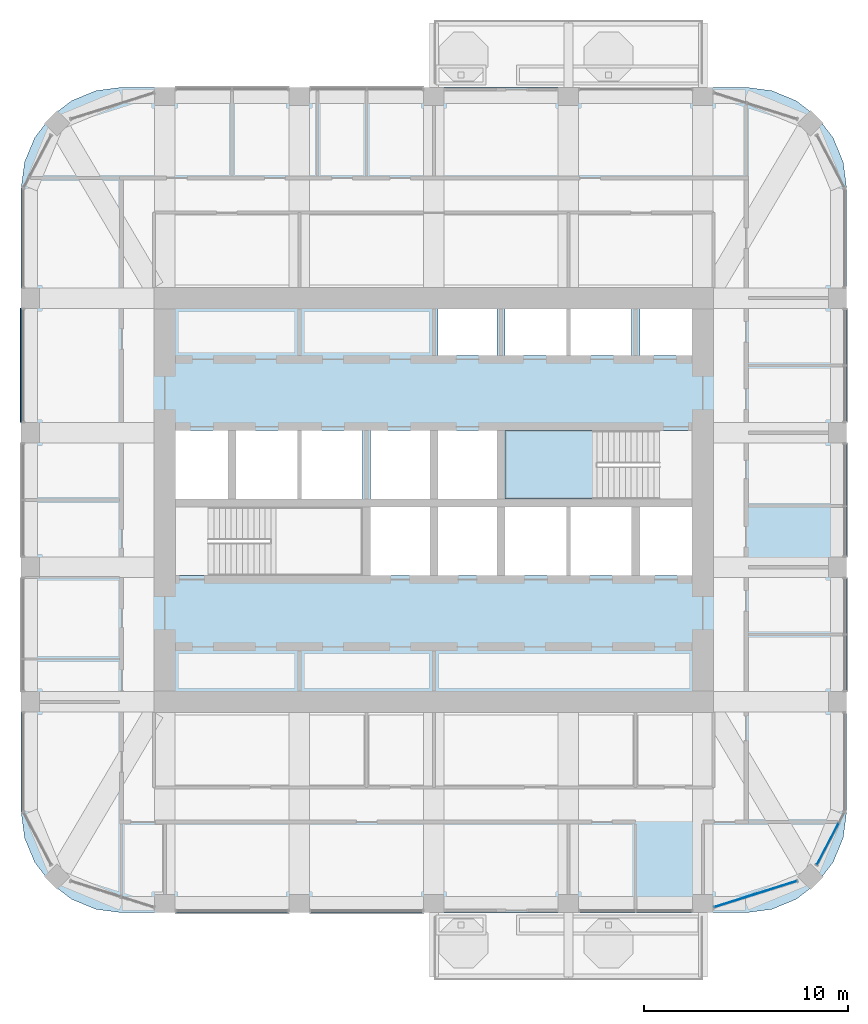
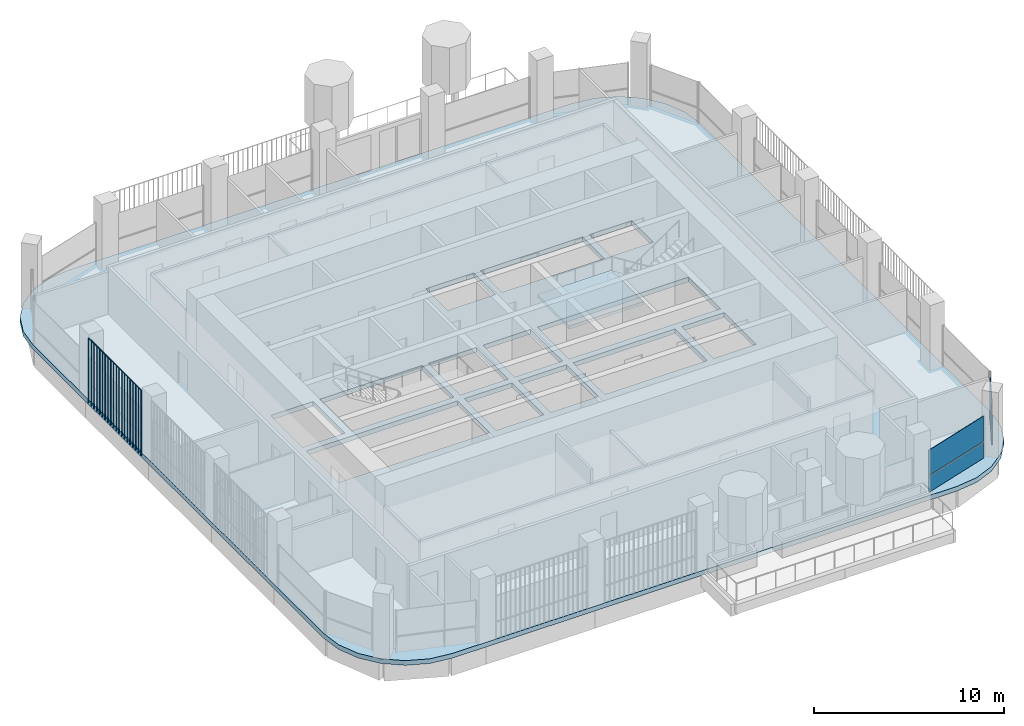
# One storey, part 10 of 21: 5 plates, 2 slabs, 3 elements without a shape of their own.
"""IFC4 building model written with IfcOpenShell, lengths in metres."""

from ifc_helpers import new_model, si_unit, direction, frame, origin, origin_2d, place, context, subcontext, project, spatial, polyline, rectangle, outline, extrude, material, layer, layer_set, type_object, element, aggregate, save


model = new_model("IFC4")

# Units and contexts
model_context = context("Model", 3, precision=1e-05, world=origin(), true_north=direction((0.0, 1.0)))
body_context = subcontext(model_context, "Body", "Model", "MODEL_VIEW")
ifc_project = project(units=[si_unit("LENGTHUNIT", "METRE"), si_unit("AREAUNIT", "SQUARE_METRE"), si_unit("VOLUMEUNIT", "CUBIC_METRE"), si_unit("PLANEANGLEUNIT", "RADIAN"), si_unit("MASSUNIT", "GRAM", prefix="KILO")], contexts=[model_context])

# Site, building, storey
site_placement = place(None, origin())
site = spatial("IfcSite", under=ifc_project, at=site_placement, CompositionType="ELEMENT")
building_placement = place(site_placement, origin())
building = spatial("IfcBuilding", under=site, at=building_placement, Name="Cobogo Forest Laboratory Tower", CompositionType="ELEMENT")
storey_placement = place(building_placement, frame((0.0, 0.0, 275.39990234375)))
storey = spatial("IfcBuildingStorey", under=building, at=storey_placement, Name="L63", CompositionType="ELEMENT", Elevation=275.39990234375)

# Slab
ifc_material_1 = material(Name="Concrete HA-40 (C40/50)", Category="concrete")
ifc_layer_1 = layer(ifc_material_1, 0.300048828125)
ifc_layer_set_1 = layer_set([ifc_layer_1], Name="Floor slab 300")
slab_type_1 = type_object("IfcSlabType", Name="Floor slab 300", PredefinedType="FLOOR", material=ifc_layer_set_1)
slab_1_placement = place(storey_placement, frame((0.0, 0.0, -0.2998046875)))
element("IfcSlab", 1, at=slab_1_placement, inside=storey, type_object=slab_type_1, Name="L63 floor slab", PredefinedType="FLOOR", context=body_context, shape_type="SweptSolid", body=[
    extrude(outline(polyline([(41.699951171875, 2.85009765625), (42.981201171875, 3.0185546875), (44.175048828125, 3.51318359375), (45.2001953125, 4.2998046875), (45.98681640625, 5.324951171875), (46.4814453125, 6.518798828125), (46.64990234375, 7.800048828125), (46.64990234375, 38.39990234375), (46.4814453125, 39.68115234375), (45.98681640625, 40.875), (45.2001953125, 41.900146484375), (44.175048828125, 42.686767578125), (42.981201171875, 43.181396484375), (41.699951171875, 43.35009765625), (11.10009765625, 43.35009765625), (9.81884765625, 43.181396484375), (8.625, 42.686767578125), (7.599853515625, 41.900146484375), (6.813232421875, 40.875), (6.318603515625, 39.68115234375), (6.14990234375, 38.39990234375), (6.14990234375, 7.800048828125), (6.318603515625, 6.518798828125), (6.813232421875, 5.324951171875), (7.599853515625, 4.2998046875), (8.625, 3.51318359375), (9.81884765625, 3.0185546875), (11.10009765625, 2.85009765625), (41.699951171875, 2.85009765625)]), holes=[polyline([(22.89990234375, 19.39990234375), (13.72509765625, 19.39990234375), (13.72509765625, 22.75), (22.89990234375, 22.75), (22.89990234375, 19.39990234375)]), polyline([(26.199951171875, 19.39990234375), (23.300048828125, 19.39990234375), (23.300048828125, 22.75), (26.199951171875, 22.75), (26.199951171875, 19.39990234375)]), polyline([(29.5, 19.39990234375), (26.60009765625, 19.39990234375), (26.60009765625, 22.75), (29.5, 22.75), (29.5, 19.39990234375)]), polyline([(36.10009765625, 22.75), (36.10009765625, 19.39990234375), (29.89990234375, 19.39990234375), (29.89990234375, 22.75), (36.10009765625, 22.75)]), polyline([(39.074951171875, 19.39990234375), (36.5, 19.39990234375), (36.5, 22.75), (39.074951171875, 22.75), (39.074951171875, 19.39990234375)]), polyline([(16.300048828125, 23.14990234375), (13.72509765625, 23.14990234375), (13.72509765625, 26.5), (16.300048828125, 26.5), (16.300048828125, 23.14990234375)]), polyline([(22.89990234375, 26.5), (22.89990234375, 23.14990234375), (16.699951171875, 23.14990234375), (16.699951171875, 26.5), (22.89990234375, 26.5)]), polyline([(26.199951171875, 23.14990234375), (23.300048828125, 23.14990234375), (23.300048828125, 26.5), (26.199951171875, 26.5), (26.199951171875, 23.14990234375)]), polyline([(29.5, 23.14990234375), (26.60009765625, 23.14990234375), (26.60009765625, 26.5), (29.5, 26.5), (29.5, 23.14990234375)]), polyline([(39.074951171875, 23.14990234375), (29.89990234375, 23.14990234375), (29.89990234375, 26.5), (39.074951171875, 26.5), (39.074951171875, 23.14990234375)]), polyline([(29.5, 30.199951171875), (26.60009765625, 30.199951171875), (26.60009765625, 32.47509765625), (29.5, 32.47509765625), (29.5, 30.199951171875)]), polyline([(36.10009765625, 32.47509765625), (36.10009765625, 30.199951171875), (29.89990234375, 30.199951171875), (29.89990234375, 32.47509765625), (36.10009765625, 32.47509765625)]), polyline([(39.074951171875, 30.199951171875), (36.5, 30.199951171875), (36.5, 32.47509765625), (39.074951171875, 32.47509765625), (39.074951171875, 30.199951171875)])]), origin(), (0.0, 0.0, 1.0), 0.2998046875),
])

# Curtain wall, plates
ifc_material_2 = material(Name="Aluminium curtain wall", Category="aluminium")
curtain_wall_type = type_object("IfcCurtainWallType", Name="CW-2 unitised curtain wall, solar control glazing, laboratory floors zones C and D", PredefinedType="USERDEFINED", material=ifc_material_2)
curtain_wall_1_placement = place(storey_placement, origin())
curtain_wall_1 = element("IfcCurtainWall", 2, at=curtain_wall_1_placement, inside=storey, type_object=curtain_wall_type, Name="Curtain wall 05 L63", ObjectType="UNITISED CURTAIN WALL", PredefinedType="USERDEFINED")
ifc_material_3 = material(Name="Solar control insulated glass", Category="glass")
ifc_layer_2 = layer(ifc_material_3, 0.031982421875)
ifc_layer_set_2 = layer_set([ifc_layer_2], Name="GP-2 solar control glass unit 32")
plate_type_1 = type_object("IfcPlateType", Name="GP-2 solar control glass unit 32", PredefinedType="CURTAIN_PANEL", material=ifc_layer_set_2)
plate_1_placement = place(storey_placement, frame((42.17919921875, 3.7646484375, 0.0), z_axis=(0.0, 0.0, 1.0), x_axis=(0.953581379409, 0.301135439371, 0.0)))
plate_1 = element("IfcPlate", 3, at=plate_1_placement, type_object=plate_type_1, Name="CW-2 panel 1.1", PredefinedType="CURTAIN_PANEL", context=body_context, shape_type="SweptSolid", body=[
    extrude(rectangle(XDim=4.240966796875, YDim=0.031982421875, at=origin_2d()), origin(), (0.0, 0.0, 1.0), 1.02001953125),
])
plate_2_placement = place(storey_placement, frame((42.17919921875, 3.7646484375, 1.080078125), z_axis=(0.0, 0.0, 1.0), x_axis=(0.953581379409, 0.301135439371, 0.0)))
plate_2 = element("IfcPlate", 4, at=plate_2_placement, type_object=plate_type_1, Name="CW-2 panel 1.2", PredefinedType="CURTAIN_PANEL", context=body_context, shape_type="SweptSolid", body=[
    extrude(rectangle(XDim=4.240966796875, YDim=0.031982421875, at=origin_2d()), origin(), (0.0, 0.0, 1.0), 1.6201171875),
])
aggregate(curtain_wall_1, [plate_1, plate_2])

curtain_wall_2_placement = place(storey_placement, origin())
curtain_wall_2 = element("IfcCurtainWall", 5, at=curtain_wall_2_placement, inside=storey, type_object=curtain_wall_type, Name="Curtain wall 06 L63", ObjectType="UNITISED CURTAIN WALL", PredefinedType="USERDEFINED")
plate_3_placement = place(storey_placement, frame((45.72314453125, 6.222900390625, 0.0), z_axis=(0.0, 0.0, 1.0), x_axis=(0.464283778337, 0.885686498245, 0.0)))
plate_3 = element("IfcPlate", 6, at=plate_3_placement, type_object=plate_type_1, Name="CW-2 panel 1.1", PredefinedType="CURTAIN_PANEL", context=body_context, shape_type="SweptSolid", body=[
    extrude(rectangle(XDim=2.28857421875, YDim=0.031982421875, at=origin_2d()), origin(), (0.0, 0.0, 1.0), 1.02001953125),
])
plate_4_placement = place(storey_placement, frame((45.72314453125, 6.222900390625, 1.080078125), z_axis=(0.0, 0.0, 1.0), x_axis=(0.464283778337, 0.885686498245, 0.0)))
plate_4 = element("IfcPlate", 7, at=plate_4_placement, type_object=plate_type_1, Name="CW-2 panel 1.2", PredefinedType="CURTAIN_PANEL", context=body_context, shape_type="SweptSolid", body=[
    extrude(rectangle(XDim=2.28857421875, YDim=0.031982421875, at=origin_2d()), origin(), (0.0, 0.0, 1.0), 1.6201171875),
])
aggregate(curtain_wall_2, [plate_3, plate_4])

# Stair, slab
ifc_material_4 = material(Name="Precast concrete HA-40 (C40/50)", Category="concrete")
stair_type = type_object("IfcStairType", Name="ST24 exit stair 24 risers", PredefinedType="HALF_TURN_STAIR", material=ifc_material_4)
stair_placement = place(storey_placement, origin())
stair = element("IfcStair", 8, at=stair_placement, inside=storey, type_object=stair_type, Name="Stair 2 L63 to L64", PredefinedType="HALF_TURN_STAIR")
ifc_layer_3 = layer(ifc_material_1, 0.199951171875)
ifc_layer_set_3 = layer_set([ifc_layer_3], Name="SL stair landing 200")
slab_type_2 = type_object("IfcSlabType", Name="SL stair landing 200", PredefinedType="LANDING", material=ifc_layer_set_3)
slab_2_placement = place(storey_placement, frame((0.0, 0.0, 1.900146484375)))
slab_2 = element("IfcSlab", 9, at=slab_2_placement, type_object=slab_type_2, Name="ST2 landing 2", PredefinedType="LANDING", context=body_context, shape_type="SweptSolid", body=[
    extrude(outline(polyline([(29.89990234375, 23.14990234375), (34.39697265625, 23.14990234375), (34.39697265625, 26.5), (29.89990234375, 26.5), (29.89990234375, 23.14990234375)])), origin(), (0.0, 0.0, 1.0), 0.199951171875),
])
aggregate(stair, [slab_2])

# Plate
ifc_material_5 = material(Name="Terracotta", Category="masonry")
plate_type_2 = type_object("IfcPlateType", Name="TB1 terracotta baguette screen", PredefinedType="USERDEFINED", material=ifc_material_5)
plate_5_placement = place(storey_placement, frame((6.1220703125, 26.93115234375, -0.14990234375)))
element("IfcPlate", 10, at=plate_5_placement, inside=storey, type_object=plate_type_2, Name="Baguette screen W3 L63", ObjectType="BAGUETTE SCREEN", PredefinedType="USERDEFINED", context=body_context, shape_type="SweptSolid", body=[
    extrude(outline(polyline([(0.02880859375, 0.011962890625), (0.011962890625, 0.02880859375), (-0.011962890625, 0.02880859375), (-0.02880859375, 0.011962890625), (-0.02880859375, -0.011962890625), (-0.011962890625, -0.02880859375), (0.011962890625, -0.02880859375), (0.02880859375, -0.011962890625), (0.02880859375, 0.011962890625)])), frame((0.0, 0.0, 4.168701171875), z_axis=(0.0, 1.0, 0.0), x_axis=(-1.0, 0.0, 0.0)), (0.0, 0.0, 1.0), 5.53759765625),
    extrude(outline(polyline([(0.02880859375, 0.011962890625), (0.011962890625, 0.02880859375), (-0.011962890625, 0.02880859375), (-0.02880859375, 0.011962890625), (-0.02880859375, -0.011962890625), (-0.011962890625, -0.02880859375), (0.011962890625, -0.02880859375), (0.02880859375, -0.011962890625), (0.02880859375, 0.011962890625)])), origin(), (0.0, 0.0, 1.0), 4.137451171875),
    extrude(outline(polyline([(0.02880859375, 0.011962890625), (0.011962890625, 0.02880859375), (-0.011962890625, 0.02880859375), (-0.02880859375, 0.011962890625), (-0.02880859375, -0.011962890625), (-0.011962890625, -0.02880859375), (0.011962890625, -0.02880859375), (0.02880859375, -0.011962890625), (0.02880859375, 0.011962890625)])), frame((0.0, 0.29150390625, 0.0)), (0.0, 0.0, 1.0), 4.137451171875),
    extrude(outline(polyline([(0.02880859375, 0.011962890625), (0.011962890625, 0.02880859375), (-0.011962890625, 0.02880859375), (-0.02880859375, 0.011962890625), (-0.02880859375, -0.011962890625), (-0.011962890625, -0.02880859375), (0.011962890625, -0.02880859375), (0.02880859375, -0.011962890625), (0.02880859375, 0.011962890625)])), frame((0.0, 0.5830078125, 0.0)), (0.0, 0.0, 1.0), 4.137451171875),
    extrude(outline(polyline([(0.02880859375, 0.011962890625), (0.011962890625, 0.02880859375), (-0.011962890625, 0.02880859375), (-0.02880859375, 0.011962890625), (-0.02880859375, -0.011962890625), (-0.011962890625, -0.02880859375), (0.011962890625, -0.02880859375), (0.02880859375, -0.011962890625), (0.02880859375, 0.011962890625)])), frame((0.0, 0.874267578125, 0.0)), (0.0, 0.0, 1.0), 4.137451171875),
    extrude(outline(polyline([(0.02880859375, 0.011962890625), (0.011962890625, 0.02880859375), (-0.011962890625, 0.02880859375), (-0.02880859375, 0.011962890625), (-0.02880859375, -0.011962890625), (-0.011962890625, -0.02880859375), (0.011962890625, -0.02880859375), (0.02880859375, -0.011962890625), (0.02880859375, 0.011962890625)])), frame((0.0, 1.165771484375, 0.0)), (0.0, 0.0, 1.0), 4.137451171875),
    extrude(outline(polyline([(0.02880859375, 0.011962890625), (0.011962890625, 0.02880859375), (-0.011962890625, 0.02880859375), (-0.02880859375, 0.011962890625), (-0.02880859375, -0.011962890625), (-0.011962890625, -0.02880859375), (0.011962890625, -0.02880859375), (0.02880859375, -0.011962890625), (0.02880859375, 0.011962890625)])), frame((0.0, 1.457275390625, 0.0)), (0.0, 0.0, 1.0), 4.137451171875),
    extrude(outline(polyline([(0.02880859375, 0.011962890625), (0.011962890625, 0.02880859375), (-0.011962890625, 0.02880859375), (-0.02880859375, 0.011962890625), (-0.02880859375, -0.011962890625), (-0.011962890625, -0.02880859375), (0.011962890625, -0.02880859375), (0.02880859375, -0.011962890625), (0.02880859375, 0.011962890625)])), frame((0.0, 1.748779296875, 0.0)), (0.0, 0.0, 1.0), 4.137451171875),
    extrude(outline(polyline([(0.02880859375, 0.011962890625), (0.011962890625, 0.02880859375), (-0.011962890625, 0.02880859375), (-0.02880859375, 0.011962890625), (-0.02880859375, -0.011962890625), (-0.011962890625, -0.02880859375), (0.011962890625, -0.02880859375), (0.02880859375, -0.011962890625), (0.02880859375, 0.011962890625)])), frame((0.0, 2.040283203125, 0.0)), (0.0, 0.0, 1.0), 4.137451171875),
    extrude(outline(polyline([(0.02880859375, 0.011962890625), (0.011962890625, 0.02880859375), (-0.011962890625, 0.02880859375), (-0.02880859375, 0.011962890625), (-0.02880859375, -0.011962890625), (-0.011962890625, -0.02880859375), (0.011962890625, -0.02880859375), (0.02880859375, -0.011962890625), (0.02880859375, 0.011962890625)])), frame((0.0, 2.33154296875, 0.0)), (0.0, 0.0, 1.0), 4.137451171875),
    extrude(outline(polyline([(0.02880859375, 0.011962890625), (0.011962890625, 0.02880859375), (-0.011962890625, 0.02880859375), (-0.02880859375, 0.011962890625), (-0.02880859375, -0.011962890625), (-0.011962890625, -0.02880859375), (0.011962890625, -0.02880859375), (0.02880859375, -0.011962890625), (0.02880859375, 0.011962890625)])), frame((0.0, 2.623046875, 0.0)), (0.0, 0.0, 1.0), 4.137451171875),
    extrude(outline(polyline([(0.02880859375, 0.011962890625), (0.011962890625, 0.02880859375), (-0.011962890625, 0.02880859375), (-0.02880859375, 0.011962890625), (-0.02880859375, -0.011962890625), (-0.011962890625, -0.02880859375), (0.011962890625, -0.02880859375), (0.02880859375, -0.011962890625), (0.02880859375, 0.011962890625)])), frame((0.0, 2.91455078125, 0.0)), (0.0, 0.0, 1.0), 4.137451171875),
    extrude(outline(polyline([(0.02880859375, 0.011962890625), (0.011962890625, 0.02880859375), (-0.011962890625, 0.02880859375), (-0.02880859375, 0.011962890625), (-0.02880859375, -0.011962890625), (-0.011962890625, -0.02880859375), (0.011962890625, -0.02880859375), (0.02880859375, -0.011962890625), (0.02880859375, 0.011962890625)])), frame((0.0, 3.2060546875, 0.0)), (0.0, 0.0, 1.0), 4.137451171875),
    extrude(outline(polyline([(0.02880859375, 0.011962890625), (0.011962890625, 0.02880859375), (-0.011962890625, 0.02880859375), (-0.02880859375, 0.011962890625), (-0.02880859375, -0.011962890625), (-0.011962890625, -0.02880859375), (0.011962890625, -0.02880859375), (0.02880859375, -0.011962890625), (0.02880859375, 0.011962890625)])), frame((0.0, 3.497314453125, 0.0)), (0.0, 0.0, 1.0), 4.137451171875),
    extrude(outline(polyline([(0.02880859375, 0.011962890625), (0.011962890625, 0.02880859375), (-0.011962890625, 0.02880859375), (-0.02880859375, 0.011962890625), (-0.02880859375, -0.011962890625), (-0.011962890625, -0.02880859375), (0.011962890625, -0.02880859375), (0.02880859375, -0.011962890625), (0.02880859375, 0.011962890625)])), frame((0.0, 3.788818359375, 0.0)), (0.0, 0.0, 1.0), 4.137451171875),
    extrude(outline(polyline([(0.02880859375, 0.011962890625), (0.011962890625, 0.02880859375), (-0.011962890625, 0.02880859375), (-0.02880859375, 0.011962890625), (-0.02880859375, -0.011962890625), (-0.011962890625, -0.02880859375), (0.011962890625, -0.02880859375), (0.02880859375, -0.011962890625), (0.02880859375, 0.011962890625)])), frame((0.0, 4.080322265625, 0.0)), (0.0, 0.0, 1.0), 4.137451171875),
    extrude(outline(polyline([(0.02880859375, 0.011962890625), (0.011962890625, 0.02880859375), (-0.011962890625, 0.02880859375), (-0.02880859375, 0.011962890625), (-0.02880859375, -0.011962890625), (-0.011962890625, -0.02880859375), (0.011962890625, -0.02880859375), (0.02880859375, -0.011962890625), (0.02880859375, 0.011962890625)])), frame((0.0, 4.371826171875, 0.0)), (0.0, 0.0, 1.0), 4.137451171875),
    extrude(outline(polyline([(0.02880859375, 0.011962890625), (0.011962890625, 0.02880859375), (-0.011962890625, 0.02880859375), (-0.02880859375, 0.011962890625), (-0.02880859375, -0.011962890625), (-0.011962890625, -0.02880859375), (0.011962890625, -0.02880859375), (0.02880859375, -0.011962890625), (0.02880859375, 0.011962890625)])), frame((0.0, 4.663330078125, 0.0)), (0.0, 0.0, 1.0), 4.137451171875),
    extrude(outline(polyline([(0.02880859375, 0.011962890625), (0.011962890625, 0.02880859375), (-0.011962890625, 0.02880859375), (-0.02880859375, 0.011962890625), (-0.02880859375, -0.011962890625), (-0.011962890625, -0.02880859375), (0.011962890625, -0.02880859375), (0.02880859375, -0.011962890625), (0.02880859375, 0.011962890625)])), frame((0.0, 4.95458984375, 0.0)), (0.0, 0.0, 1.0), 4.137451171875),
    extrude(outline(polyline([(0.02880859375, 0.011962890625), (0.011962890625, 0.02880859375), (-0.011962890625, 0.02880859375), (-0.02880859375, 0.011962890625), (-0.02880859375, -0.011962890625), (-0.011962890625, -0.02880859375), (0.011962890625, -0.02880859375), (0.02880859375, -0.011962890625), (0.02880859375, 0.011962890625)])), frame((0.0, 5.24609375, 0.0)), (0.0, 0.0, 1.0), 4.137451171875),
    extrude(outline(polyline([(0.02880859375, 0.011962890625), (0.011962890625, 0.02880859375), (-0.011962890625, 0.02880859375), (-0.02880859375, 0.011962890625), (-0.02880859375, -0.011962890625), (-0.011962890625, -0.02880859375), (0.011962890625, -0.02880859375), (0.02880859375, -0.011962890625), (0.02880859375, 0.011962890625)])), frame((0.0, 5.53759765625, 0.0)), (0.0, 0.0, 1.0), 4.137451171875),
])

save(model, "model.ifc")
